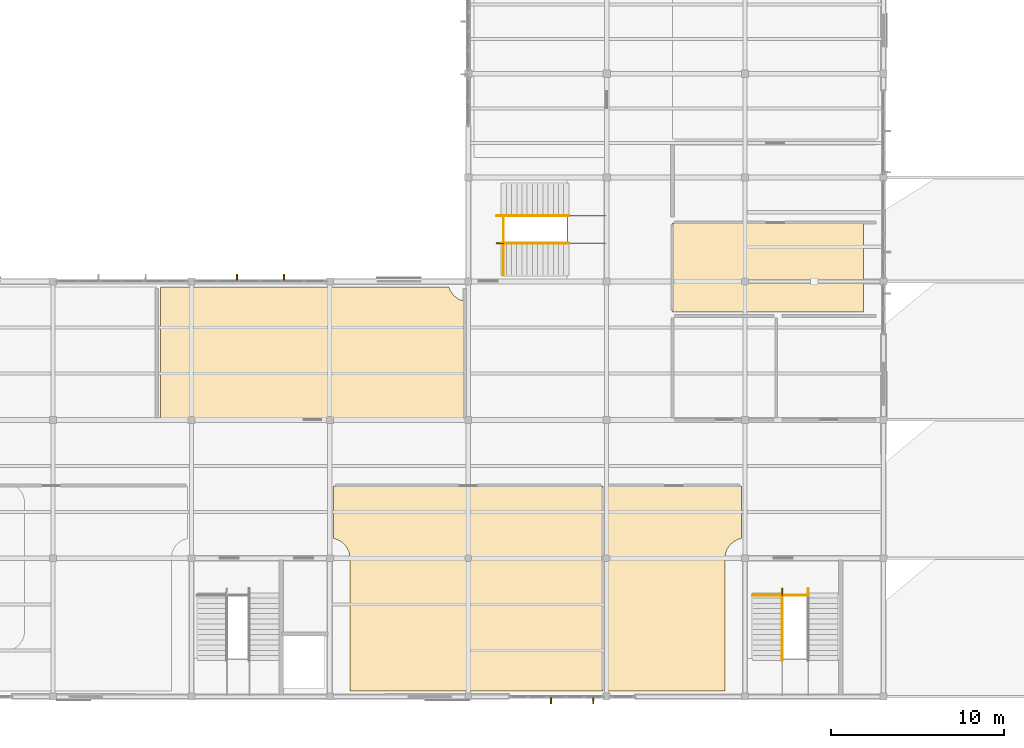
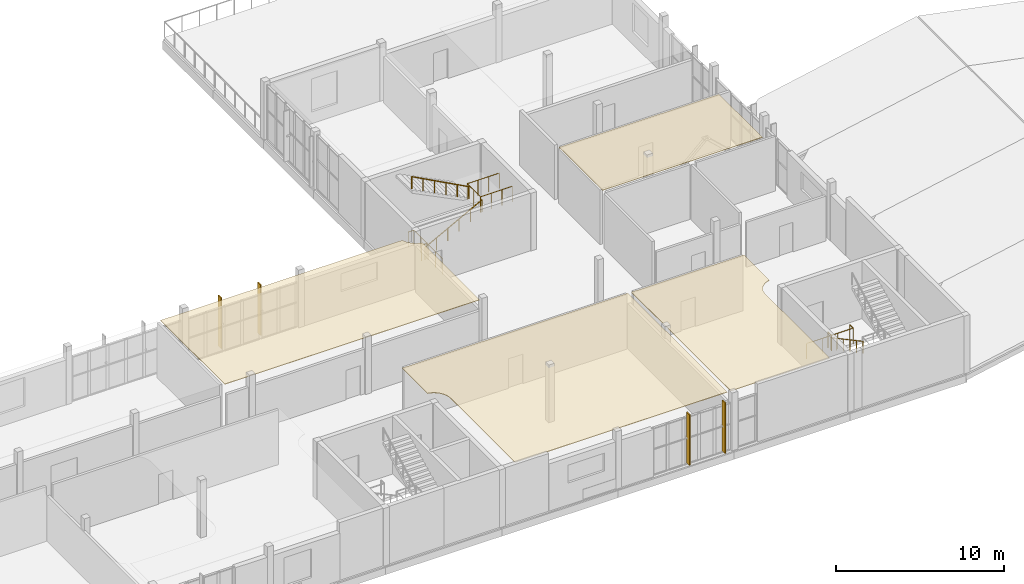
# One storey, part 44 of 45: 8 railings, 4 coverings, 4 shading devices.
"""IFC4 building model written with IfcOpenShell, lengths in metres."""

from ifc_helpers import new_model, si_unit, direction, frame, origin, origin_2d, place, context, subcontext, project, spatial, polyline, rectangle, circle, outline, extrude, material, layer, layer_set, type_object, element, save


model = new_model("IFC4")

# Units and contexts
model_context = context("Model", 3, precision=1e-05, world=origin(), true_north=direction((0.0, 1.0)))
body_context = subcontext(model_context, "Body", "Model", "MODEL_VIEW")
ifc_project = project(units=[si_unit("LENGTHUNIT", "METRE"), si_unit("AREAUNIT", "SQUARE_METRE"), si_unit("VOLUMEUNIT", "CUBIC_METRE"), si_unit("PLANEANGLEUNIT", "RADIAN"), si_unit("MASSUNIT", "GRAM", prefix="KILO")], contexts=[model_context])

# Site, building, storey
site_placement = place(None, origin())
site = spatial("IfcSite", under=ifc_project, at=site_placement, CompositionType="ELEMENT")
building_placement = place(site_placement, origin())
building = spatial("IfcBuilding", under=site, at=building_placement, Name="Solvane Community Centre", CompositionType="ELEMENT")
storey_placement = place(building_placement, frame((0.0, 0.0, 13.800048828125)))
storey = spatial("IfcBuildingStorey", under=building, at=storey_placement, Name="L03", CompositionType="ELEMENT", Elevation=13.800048828125)

# Coverings
ifc_material_1 = material(Name="Acoustic timber slat ceiling", Category="wood")
ifc_layer = layer(ifc_material_1, 0.0400390625)
ifc_layer_set = layer_set([ifc_layer], Name="Acoustic timber slat ceiling")
covering_type = type_object("IfcCoveringType", Name="Acoustic Timber Slat Suspended Ceiling", PredefinedType="CEILING", material=ifc_layer_set)
covering_1_placement = place(storey_placement, frame((0.0, 0.0, 3.954833984375)))
element("IfcCovering", 1, at=covering_1_placement, inside=storey, type_object=covering_type, Name="Acoustic Ceiling L03-07", PredefinedType="CEILING", context=body_context, shape_type="SweptSolid", body=[
    extrude(outline(polyline([(108.219970703125, 18.179931640625), (123.780029296875, 18.179931640625), (123.780029296875, 6.320068359375), (109.159912109375, 6.320068359375), (109.159912109375, 14.0), (109.15869140625, 14.049072265625), (109.157958984375, 14.064697265625), (109.1484375, 14.162353515625), (109.14599609375, 14.177978515625), (109.126953125, 14.274169921875), (109.123046875, 14.289306640625), (109.0947265625, 14.38330078125), (109.08935546875, 14.398193359375), (109.0517578125, 14.48876953125), (109.045166015625, 14.5029296875), (108.998779296875, 14.589599609375), (108.99072265625, 14.60302734375), (108.936279296875, 14.6845703125), (108.927001953125, 14.697265625), (108.864501953125, 14.773193359375), (108.85400390625, 14.78466796875), (108.78466796875, 14.85400390625), (108.773193359375, 14.864501953125), (108.697265625, 14.927001953125), (108.6845703125, 14.936279296875), (108.60302734375, 14.99072265625), (108.589599609375, 14.998779296875), (108.5029296875, 15.045166015625), (108.48876953125, 15.0517578125), (108.398193359375, 15.08935546875), (108.38330078125, 15.0947265625), (108.289306640625, 15.123046875), (108.274169921875, 15.126953125), (108.219970703125, 15.1376953125), (108.219970703125, 18.179931640625)])), origin(), (0.0, 0.0, 1.0), 0.0400390625),
])
covering_2_placement = place(storey_placement, frame((0.0, 0.0, 3.954833984375)))
element("IfcCovering", 2, at=covering_2_placement, inside=storey, type_object=covering_type, Name="Acoustic Ceiling L03-08", PredefinedType="CEILING", context=body_context, shape_type="SweptSolid", body=[
    extrude(outline(polyline([(124.02001953125, 6.320068359375), (124.02001953125, 18.179931640625), (131.780029296875, 18.179931640625), (131.780029296875, 15.1376953125), (131.725830078125, 15.126953125), (131.710693359375, 15.123046875), (131.61669921875, 15.0947265625), (131.601806640625, 15.08935546875), (131.51123046875, 15.0517578125), (131.4970703125, 15.045166015625), (131.410400390625, 14.998779296875), (131.39697265625, 14.99072265625), (131.3154296875, 14.936279296875), (131.302734375, 14.927001953125), (131.226806640625, 14.864501953125), (131.21533203125, 14.85400390625), (131.14599609375, 14.78466796875), (131.135498046875, 14.773193359375), (131.072998046875, 14.697265625), (131.063720703125, 14.6845703125), (131.00927734375, 14.60302734375), (131.001220703125, 14.589599609375), (130.954833984375, 14.5029296875), (130.9482421875, 14.48876953125), (130.91064453125, 14.398193359375), (130.9052734375, 14.38330078125), (130.876953125, 14.289306640625), (130.873046875, 14.274169921875), (130.85400390625, 14.177978515625), (130.8515625, 14.162353515625), (130.842041015625, 14.064697265625), (130.84130859375, 14.049072265625), (130.840087890625, 14.0), (130.840087890625, 6.320068359375), (124.02001953125, 6.320068359375)])), origin(), (0.0, 0.0, 1.0), 0.0400390625),
])
covering_3_placement = place(storey_placement, frame((0.0, 0.0, 3.954833984375)))
element("IfcCovering", 3, at=covering_3_placement, inside=storey, type_object=covering_type, Name="Acoustic Ceiling L03-09", PredefinedType="CEILING", context=body_context, shape_type="SweptSolid", body=[
    extrude(outline(polyline([(115.780029296875, 22.02001953125), (98.219970703125, 22.02001953125), (98.219970703125, 29.679931640625), (114.885986328125, 29.679931640625), (114.9052734375, 29.61669921875), (114.91064453125, 29.601806640625), (114.9482421875, 29.51123046875), (114.954833984375, 29.4970703125), (115.001220703125, 29.410400390625), (115.00927734375, 29.39697265625), (115.063720703125, 29.3154296875), (115.072998046875, 29.302734375), (115.135498046875, 29.226806640625), (115.14599609375, 29.21533203125), (115.21533203125, 29.14599609375), (115.226806640625, 29.135498046875), (115.302734375, 29.072998046875), (115.3154296875, 29.063720703125), (115.39697265625, 29.00927734375), (115.410400390625, 29.001220703125), (115.4970703125, 28.954833984375), (115.51123046875, 28.9482421875), (115.601806640625, 28.91064453125), (115.61669921875, 28.9052734375), (115.710693359375, 28.876953125), (115.725830078125, 28.873046875), (115.780029296875, 28.8623046875), (115.780029296875, 22.02001953125)])), origin(), (0.0, 0.0, 1.0), 0.0400390625),
])
covering_4_placement = place(storey_placement, frame((0.0, 0.0, 3.954833984375)))
element("IfcCovering", 4, at=covering_4_placement, inside=storey, type_object=covering_type, Name="Acoustic Ceiling L03-14", PredefinedType="CEILING", context=body_context, shape_type="SweptSolid", body=[
    extrude(outline(polyline([(127.820068359375, 28.219970703125), (127.820068359375, 33.3798828125), (138.840087890625, 33.3798828125), (138.840087890625, 28.219970703125), (127.820068359375, 28.219970703125)])), origin(), (0.0, 0.0, 1.0), 0.0400390625),
])

# Shading devices
ifc_material_2 = material(Name="Anodised bronze aluminium AW-6063 T6", Category="aluminium")
shading_device_type = type_object("IfcShadingDeviceType", Name="Art Deco Bronze Solar Fin 80x360", PredefinedType="USERDEFINED", material=ifc_material_2)
shading_device_1_placement = place(storey_placement, frame((123.22412109375, 5.760009765625, 0.14990234375), z_axis=(0.0, 0.0, 1.0), x_axis=(-1.0, 0.0, 0.0)))
element("IfcShadingDevice", 5, at=shading_device_1_placement, inside=storey, type_object=shading_device_type, Name="Solar Brise-Soleil Fin 101", ObjectType="Solar Brise-Soleil Fin 101", PredefinedType="USERDEFINED", context=body_context, shape_type="SweptSolid", body=[
    extrude(rectangle(XDim=0.080078125, YDim=0.360107421875, at=origin_2d()), origin(), (0.0, 0.0, 1.0), 3.679931640625),
])
shading_device_2_placement = place(storey_placement, frame((120.77587890625, 5.760009765625, 0.14990234375), z_axis=(0.0, 0.0, 1.0), x_axis=(-1.0, 0.0, 0.0)))
element("IfcShadingDevice", 6, at=shading_device_2_placement, inside=storey, type_object=shading_device_type, Name="Solar Brise-Soleil Fin 102", ObjectType="Solar Brise-Soleil Fin 102", PredefinedType="USERDEFINED", context=body_context, shape_type="SweptSolid", body=[
    extrude(rectangle(XDim=0.080078125, YDim=0.360107421875, at=origin_2d()), origin(), (0.0, 0.0, 1.0), 3.679931640625),
])
shading_device_3_placement = place(storey_placement, frame((102.639892578125, 30.239990234375, 0.14990234375), z_axis=(0.0, 0.0, 1.0), x_axis=(1.0, 0.0, 0.0)))
element("IfcShadingDevice", 7, at=shading_device_3_placement, inside=storey, type_object=shading_device_type, Name="Solar Brise-Soleil Fin 113", ObjectType="Solar Brise-Soleil Fin 113", PredefinedType="USERDEFINED", context=body_context, shape_type="SweptSolid", body=[
    extrude(rectangle(XDim=0.080078125, YDim=0.360107421875, at=origin_2d()), origin(), (0.0, 0.0, 1.0), 3.679931640625),
])
shading_device_4_placement = place(storey_placement, frame((105.360107421875, 30.239990234375, 0.14990234375), z_axis=(0.0, 0.0, 1.0), x_axis=(1.0, 0.0, 0.0)))
element("IfcShadingDevice", 8, at=shading_device_4_placement, inside=storey, type_object=shading_device_type, Name="Solar Brise-Soleil Fin 114", ObjectType="Solar Brise-Soleil Fin 114", PredefinedType="USERDEFINED", context=body_context, shape_type="SweptSolid", body=[
    extrude(rectangle(XDim=0.080078125, YDim=0.360107421875, at=origin_2d()), origin(), (0.0, 0.0, 1.0), 3.679931640625),
])

# Railings
railing_type_1 = type_object("IfcRailingType", Name="Interior Gallery & Stair Well Guard 1150mm", PredefinedType="BALUSTRADE", material=ifc_material_2)
railing_1_placement = place(storey_placement, frame((132.43994140625, 11.860107421875, 0.0)))
element("IfcRailing", 9, at=railing_1_placement, inside=storey, type_object=railing_type_1, Name="Railing GR-L03-055", PredefinedType="BALUSTRADE", context=body_context, shape_type="SweptSolid", body=[
    extrude(circle(Radius=0.02392578125, at=origin_2d()), frame((0.0, 0.0, 1.1259765625), z_axis=(1.0, 0.0, 0.0), x_axis=(0.0, 1.0, 0.0)), (0.0, 0.0, 1.0), 3.2099609375),
    extrude(circle(Radius=0.02392578125, at=origin_2d()), frame((3.2099609375, 0.0, 1.1259765625), z_axis=(0.0, 1.0, 0.0), x_axis=(-1.0, 0.0, 0.0)), (0.0, 0.0, 1.0), 0.389892578125),
    extrude(circle(Radius=0.02099609375, at=origin_2d()), origin(), (0.0, 0.0, 1.0), 1.101806640625),
    extrude(circle(Radius=0.02099609375, at=origin_2d()), frame((1.070068359375, 0.0, 0.0)), (0.0, 0.0, 1.0), 1.101806640625),
    extrude(circle(Radius=0.02099609375, at=origin_2d()), frame((2.139892578125, 0.0, 0.0)), (0.0, 0.0, 1.0), 1.101806640625),
    extrude(circle(Radius=0.02099609375, at=origin_2d()), frame((3.2099609375, 0.0, 0.0)), (0.0, 0.0, 1.0), 1.101806640625),
    extrude(circle(Radius=0.02099609375, at=origin_2d()), frame((3.2099609375, 0.389892578125, 0.0)), (0.0, 0.0, 1.0), 1.101806640625),
])
railing_2_placement = place(storey_placement, frame((134.14990234375, 12.25, 0.0)))
element("IfcRailing", 10, at=railing_2_placement, inside=storey, type_object=railing_type_1, Name="Railing GR-L03-056", PredefinedType="BALUSTRADE", context=body_context, shape_type="SweptSolid", body=[
    extrude(circle(Radius=0.02392578125, at=origin_2d()), frame((0.0, 0.0, 1.1259765625), z_axis=(0.0, -1.0, 0.0), x_axis=(1.0, 0.0, 0.0)), (0.0, 0.0, 1.0), 0.389892578125),
    extrude(circle(Radius=0.02099609375, at=origin_2d()), origin(), (0.0, 0.0, 1.0), 1.101806640625),
    extrude(circle(Radius=0.02099609375, at=origin_2d()), frame((0.0, -0.389892578125, 0.0)), (0.0, 0.0, 1.0), 1.101806640625),
])
railing_3_placement = place(storey_placement, frame((123.93994140625, 32.2099609375, 2.099853515625)))
element("IfcRailing", 11, at=railing_3_placement, inside=storey, type_object=railing_type_1, Name="Railing GR-L03-073", PredefinedType="BALUSTRADE", context=body_context, shape_type="SweptSolid", body=[
    extrude(circle(Radius=0.02392578125, at=origin_2d()), frame((0.0, 0.0, 1.1259765625), z_axis=(-1.0, 0.0, 0.0), x_axis=(0.0, -1.0, 0.0)), (0.0, 0.0, 1.0), 2.219970703125),
    extrude(circle(Radius=0.02392578125, at=origin_2d()), frame((-2.219970703125, 0.0, 1.1259765625), z_axis=(0.0, 1.0, 0.0), x_axis=(-1.0, 0.0, 0.0)), (0.0, 0.0, 1.0), 1.580078125),
    extrude(circle(Radius=0.02392578125, at=origin_2d()), frame((-2.219970703125, 1.580078125, 1.1259765625), z_axis=(1.0, 0.0, 0.0), x_axis=(0.0, 1.0, 0.0)), (0.0, 0.0, 1.0), 2.219970703125),
    extrude(circle(Radius=0.02099609375, at=origin_2d()), origin(), (0.0, 0.0, 1.0), 1.101806640625),
    extrude(circle(Radius=0.02099609375, at=origin_2d()), frame((-0.739990234375, 0.0, 0.0)), (0.0, 0.0, 1.0), 1.101806640625),
    extrude(circle(Radius=0.02099609375, at=origin_2d()), frame((-1.47998046875, 0.0, 0.0)), (0.0, 0.0, 1.0), 1.101806640625),
    extrude(circle(Radius=0.02099609375, at=origin_2d()), frame((-2.219970703125, 0.0, 0.0)), (0.0, 0.0, 1.0), 1.101806640625),
    extrude(circle(Radius=0.02099609375, at=origin_2d()), frame((-2.219970703125, 0.7900390625, 0.0)), (0.0, 0.0, 1.0), 1.101806640625),
    extrude(circle(Radius=0.02099609375, at=origin_2d()), frame((-2.219970703125, 1.580078125, 0.0)), (0.0, 0.0, 1.0), 1.101806640625),
    extrude(circle(Radius=0.02099609375, at=origin_2d()), frame((-1.47998046875, 1.580078125, 0.0)), (0.0, 0.0, 1.0), 1.101806640625),
    extrude(circle(Radius=0.02099609375, at=origin_2d()), frame((-0.739990234375, 1.580078125, 0.0)), (0.0, 0.0, 1.0), 1.101806640625),
    extrude(circle(Radius=0.02099609375, at=origin_2d()), frame((0.0, 1.580078125, 0.0)), (0.0, 0.0, 1.0), 1.101806640625),
])
railing_4_placement = place(storey_placement, frame((118.0400390625, 30.340087890625, 0.0)))
element("IfcRailing", 12, at=railing_4_placement, inside=storey, type_object=railing_type_1, Name="Railing GR-L03-074", PredefinedType="BALUSTRADE", context=body_context, shape_type="SweptSolid", body=[
    extrude(circle(Radius=0.02392578125, at=origin_2d()), frame((0.0, 0.0, 1.1259765625), z_axis=(0.0, 1.0, 0.0), x_axis=(-1.0, 0.0, 0.0)), (0.0, 0.0, 1.0), 3.449951171875),
    extrude(circle(Radius=0.02392578125, at=origin_2d()), frame((0.0, 3.449951171875, 1.1259765625), z_axis=(-1.0, 0.0, 0.0), x_axis=(0.0, -1.0, 0.0)), (0.0, 0.0, 1.0), 0.39013671875),
    extrude(circle(Radius=0.02099609375, at=origin_2d()), origin(), (0.0, 0.0, 1.0), 1.101806640625),
    extrude(circle(Radius=0.02099609375, at=origin_2d()), frame((0.0, 0.862548828125, 0.0)), (0.0, 0.0, 1.0), 1.101806640625),
    extrude(circle(Radius=0.02099609375, at=origin_2d()), frame((0.0, 1.72509765625, 0.0)), (0.0, 0.0, 1.0), 1.101806640625),
    extrude(circle(Radius=0.02099609375, at=origin_2d()), frame((0.0, 2.58740234375, 0.0)), (0.0, 0.0, 1.0), 1.101806640625),
    extrude(circle(Radius=0.02099609375, at=origin_2d()), frame((0.0, 3.449951171875, 0.0)), (0.0, 0.0, 1.0), 1.101806640625),
    extrude(circle(Radius=0.02099609375, at=origin_2d()), frame((-0.39013671875, 3.449951171875, 0.0)), (0.0, 0.0, 1.0), 1.101806640625),
])
railing_5_placement = place(storey_placement, frame((117.64990234375, 32.2099609375, 0.0)))
element("IfcRailing", 13, at=railing_5_placement, inside=storey, type_object=railing_type_1, Name="Railing GR-L03-075", PredefinedType="BALUSTRADE", context=body_context, shape_type="SweptSolid", body=[
    extrude(circle(Radius=0.02392578125, at=origin_2d()), frame((0.0, 0.0, 1.1259765625), z_axis=(1.0, 0.0, 0.0), x_axis=(0.0, 1.0, 0.0)), (0.0, 0.0, 1.0), 0.39013671875),
    extrude(circle(Radius=0.02099609375, at=origin_2d()), origin(), (0.0, 0.0, 1.0), 1.101806640625),
    extrude(circle(Radius=0.02099609375, at=origin_2d()), frame((0.39013671875, 0.0, 0.0)), (0.0, 0.0, 1.0), 1.101806640625),
])
railing_type_2 = type_object("IfcRailingType", Name="Stair Pitch Handrail 900mm", PredefinedType="HANDRAIL", material=ifc_material_2)
railing_6_placement = place(storey_placement, frame((134.14990234375, 12.0, 0.0)))
element("IfcRailing", 14, at=railing_6_placement, inside=storey, type_object=railing_type_2, Name="Railing HR-L03-052", PredefinedType="HANDRAIL", context=body_context, shape_type="SweptSolid", body=[
    extrude(circle(Radius=0.02392578125, at=origin_2d()), frame((0.0, 0.0, 0.8759765625), z_axis=(0.0, -0.881489763865, 0.472203130232), x_axis=(1.0, 0.0, 0.0)), (0.0, 0.0, 1.0), 4.447021484375),
    extrude(circle(Radius=0.02099609375, at=origin_2d()), origin(), (0.0, 0.0, 1.0), 0.851806640625),
    extrude(circle(Radius=0.02099609375, at=origin_2d()), frame((0.0, -0.783935546875, 0.419921875)), (0.0, 0.0, 1.0), 0.851806640625),
    extrude(circle(Radius=0.02099609375, at=origin_2d()), frame((0.0, -1.56787109375, 0.83984375)), (0.0, 0.0, 1.0), 0.851806640625),
    extrude(circle(Radius=0.02099609375, at=origin_2d()), frame((0.0, -2.35205078125, 1.260009765625)), (0.0, 0.0, 1.0), 0.851806640625),
    extrude(circle(Radius=0.02099609375, at=origin_2d()), frame((0.0, -3.135986328125, 1.679931640625)), (0.0, 0.0, 1.0), 0.851806640625),
    extrude(circle(Radius=0.02099609375, at=origin_2d()), frame((0.0, -3.919921875, 2.099853515625)), (0.0, 0.0, 1.0), 0.851806640625),
])
railing_7_placement = place(storey_placement, frame((117.89990234375, 32.2099609375, 0.0)))
element("IfcRailing", 15, at=railing_7_placement, inside=storey, type_object=railing_type_2, Name="Railing HR-L03-071", PredefinedType="HANDRAIL", context=body_context, shape_type="SweptSolid", body=[
    extrude(circle(Radius=0.02392578125, at=origin_2d()), frame((0.0, 0.0, 0.8759765625), z_axis=(0.881502004561, 0.0, 0.472180279083), x_axis=(0.0, 1.0, 0.0)), (0.0, 0.0, 1.0), 4.447265625),
    extrude(circle(Radius=0.02099609375, at=origin_2d()), origin(), (0.0, 0.0, 1.0), 0.851806640625),
    extrude(circle(Radius=0.02099609375, at=origin_2d()), frame((0.783935546875, 0.0, 0.419921875)), (0.0, 0.0, 1.0), 0.851806640625),
    extrude(circle(Radius=0.02099609375, at=origin_2d()), frame((1.568115234375, 0.0, 0.83984375)), (0.0, 0.0, 1.0), 0.851806640625),
    extrude(circle(Radius=0.02099609375, at=origin_2d()), frame((2.35205078125, 0.0, 1.260009765625)), (0.0, 0.0, 1.0), 0.851806640625),
    extrude(circle(Radius=0.02099609375, at=origin_2d()), frame((3.13623046875, 0.0, 1.679931640625)), (0.0, 0.0, 1.0), 0.851806640625),
    extrude(circle(Radius=0.02099609375, at=origin_2d()), frame((3.920166015625, 0.0, 2.099853515625)), (0.0, 0.0, 1.0), 0.851806640625),
])
railing_8_placement = place(storey_placement, frame((121.820068359375, 33.7900390625, 2.099853515625)))
element("IfcRailing", 16, at=railing_8_placement, inside=storey, type_object=railing_type_2, Name="Railing HR-L03-072", PredefinedType="HANDRAIL", context=body_context, shape_type="SweptSolid", body=[
    extrude(circle(Radius=0.02392578125, at=origin_2d()), frame((0.0, 0.0, 0.8759765625), z_axis=(-0.881479153919, 0.0, 0.472222935917), x_axis=(0.0, -1.0, 0.0)), (0.0, 0.0, 1.0), 4.447265625),
    extrude(circle(Radius=0.02099609375, at=origin_2d()), origin(), (0.0, 0.0, 1.0), 0.851806640625),
    extrude(circle(Radius=0.02099609375, at=origin_2d()), frame((-0.783935546875, 0.0, 0.419921875)), (0.0, 0.0, 1.0), 0.851806640625),
    extrude(circle(Radius=0.02099609375, at=origin_2d()), frame((-1.568115234375, 0.0, 0.840087890625)), (0.0, 0.0, 1.0), 0.851806640625),
    extrude(circle(Radius=0.02099609375, at=origin_2d()), frame((-2.35205078125, 0.0, 1.260009765625)), (0.0, 0.0, 1.0), 0.851806640625),
    extrude(circle(Radius=0.02099609375, at=origin_2d()), frame((-3.13623046875, 0.0, 1.68017578125)), (0.0, 0.0, 1.0), 0.851806640625),
    extrude(circle(Radius=0.02099609375, at=origin_2d()), frame((-3.920166015625, 0.0, 2.10009765625)), (0.0, 0.0, 1.0), 0.851806640625),
])

save(model, "model.ifc")
